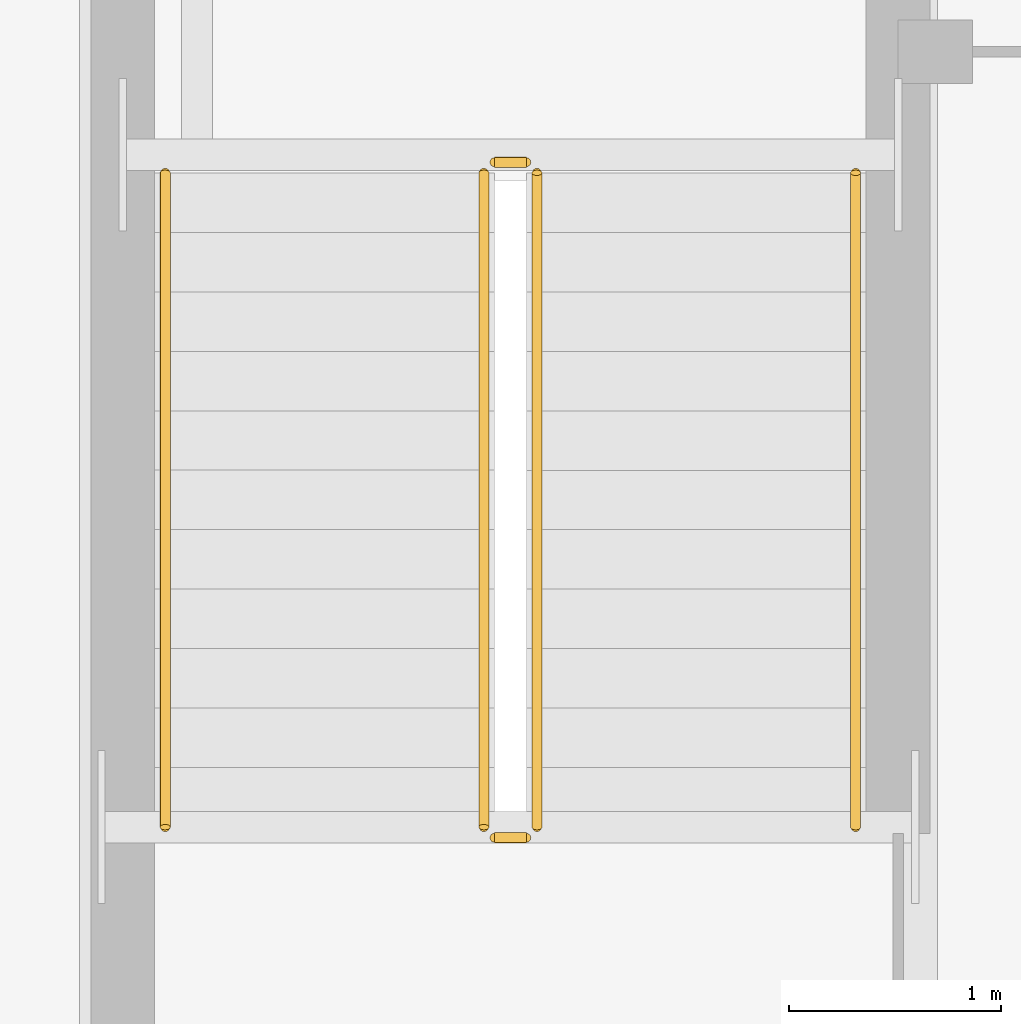
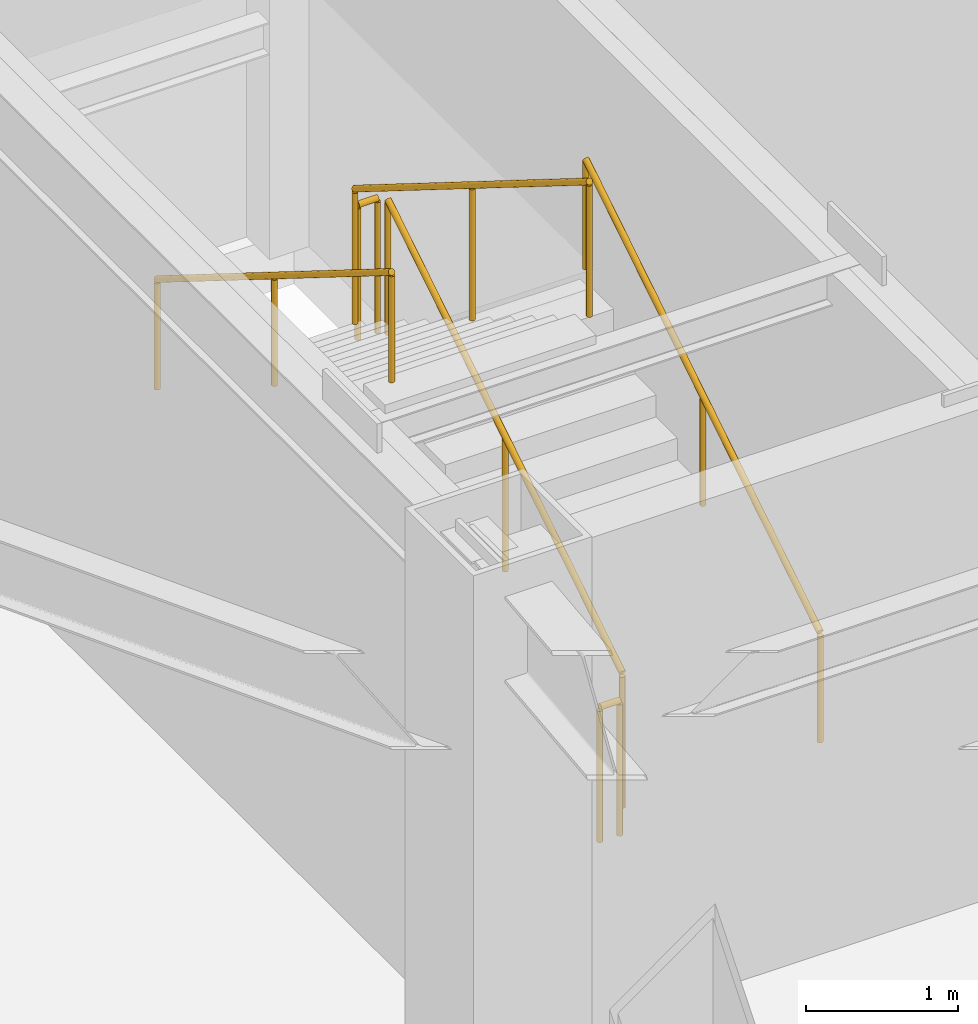
# One storey, part 8 of 11: 6 railings.
"""IFC4 building model written with IfcOpenShell, lengths in metres."""

from ifc_helpers import new_model, si_unit, direction, frame, origin, origin_2d, place, context, subcontext, project, spatial, circle, extrude, material, type_object, element, save


model = new_model("IFC4")

# Units and contexts
model_context = context("Model", 3, precision=1e-05, world=origin(), true_north=direction((0.0, 1.0)))
body_context = subcontext(model_context, "Body", "Model", "MODEL_VIEW")
ifc_project = project(units=[si_unit("LENGTHUNIT", "METRE"), si_unit("AREAUNIT", "SQUARE_METRE"), si_unit("VOLUMEUNIT", "CUBIC_METRE"), si_unit("PLANEANGLEUNIT", "RADIAN"), si_unit("MASSUNIT", "GRAM", prefix="KILO")], contexts=[model_context])

# Site, building, storey
site_placement = place(None, origin())
site = spatial("IfcSite", under=ifc_project, at=site_placement, CompositionType="ELEMENT")
building_placement = place(site_placement, origin())
building = spatial("IfcBuilding", under=site, at=building_placement, Name="Khamvora Tower", CompositionType="ELEMENT")
storey_placement = place(building_placement, frame((0.0, 0.0, 277.85009765625)))
storey = spatial("IfcBuildingStorey", under=building, at=storey_placement, Name="L71", CompositionType="ELEMENT", Elevation=277.85009765625)

# Railings
ifc_material_1 = material(Name="Brushed Stainless Steel 316", Category="steel")
railing_type_1 = type_object("IfcRailingType", Name="RAL-HDR-920", PredefinedType="HANDRAIL", material=ifc_material_1)
railing_1_placement = place(storey_placement, frame((32.449951171875, 20.75, 0.1748046875)))
element("IfcRailing", 1, at=railing_1_placement, inside=storey, type_object=railing_type_1, Name="L71 ST-01 stair handrail 1", PredefinedType="HANDRAIL", context=body_context, shape_type="SweptSolid", body=[
    extrude(circle(Radius=0.02392578125, at=origin_2d()), frame((0.0, 0.0, 0.8759765625), z_axis=(0.0, 0.847998304005, 0.529998940003), x_axis=(-1.0, 0.0, 0.0)), (0.0, 0.0, 1.0), 3.632080078125),
    extrude(circle(Radius=0.02099609375, at=origin_2d()), origin(), (0.0, 0.0, 1.0), 0.851806640625),
    extrude(circle(Radius=0.02099609375, at=origin_2d()), frame((0.0, 1.5400390625, 0.96240234375)), (0.0, 0.0, 1.0), 0.851806640625),
    extrude(circle(Radius=0.02099609375, at=origin_2d()), frame((0.0, 3.080078125, 1.925048828125)), (0.0, 0.0, 1.0), 0.851806640625),
])
railing_2_placement = place(storey_placement, frame((29.199951171875, 23.830078125, 2.27490234375)))
element("IfcRailing", 2, at=railing_2_placement, inside=storey, type_object=railing_type_1, Name="L71 ST-01 stair handrail 2", PredefinedType="HANDRAIL", context=body_context, shape_type="SweptSolid", body=[
    extrude(circle(Radius=0.02392578125, at=origin_2d()), frame((0.0, 0.0, 0.8759765625), z_axis=(0.0, -0.847998304005, 0.529998940003), x_axis=(1.0, 0.0, 0.0)), (0.0, 0.0, 1.0), 3.632080078125),
    extrude(circle(Radius=0.02099609375, at=origin_2d()), origin(), (0.0, 0.0, 1.0), 0.851806640625),
    extrude(circle(Radius=0.02099609375, at=origin_2d()), frame((0.0, -1.5400390625, 0.96240234375)), (0.0, 0.0, 1.0), 0.851806640625),
    extrude(circle(Radius=0.02099609375, at=origin_2d()), frame((0.0, -3.080078125, 1.925048828125)), (0.0, 0.0, 1.0), 0.851806640625),
])
ifc_material_2 = material(Name="Stainless Steel 316", Category="steel")
railing_type_2 = type_object("IfcRailingType", Name="RAL-STG-1100", PredefinedType="GUARDRAIL", material=ifc_material_2)
railing_3_placement = place(storey_placement, frame((30.949951171875, 20.75, 0.1748046875)))
element("IfcRailing", 3, at=railing_3_placement, inside=storey, type_object=railing_type_2, Name="L71 ST-01 stair guard 1", PredefinedType="GUARDRAIL", context=body_context, shape_type="SweptSolid", body=[
    extrude(circle(Radius=0.02392578125, at=origin_2d()), frame((0.0, 0.0, 1.076171875), z_axis=(0.0, 0.847998304005, 0.529998940003), x_axis=(-1.0, 0.0, 0.0)), (0.0, 0.0, 1.0), 3.632080078125),
    extrude(circle(Radius=0.02099609375, at=origin_2d()), origin(), (0.0, 0.0, 1.0), 1.052001953125),
    extrude(circle(Radius=0.02099609375, at=origin_2d()), frame((0.0, 1.5400390625, 0.96240234375)), (0.0, 0.0, 1.0), 1.052001953125),
    extrude(circle(Radius=0.02099609375, at=origin_2d()), frame((0.0, 3.080078125, 1.925048828125)), (0.0, 0.0, 1.0), 1.052001953125),
])
railing_4_placement = place(storey_placement, frame((30.89990234375, 23.8798828125, 2.099853515625)))
element("IfcRailing", 4, at=railing_4_placement, inside=storey, type_object=railing_type_2, Name="L71 ST-01 stair guard 2", PredefinedType="GUARDRAIL", context=body_context, shape_type="SweptSolid", body=[
    extrude(circle(Radius=0.02392578125, at=origin_2d()), frame((0.0, 0.0, 1.076171875), z_axis=(-1.0, 0.0, 0.0), x_axis=(0.0, -1.0, 0.0)), (0.0, 0.0, 1.0), 0.14990234375),
    extrude(circle(Radius=0.02099609375, at=origin_2d()), origin(), (0.0, 0.0, 1.0), 1.052001953125),
    extrude(circle(Radius=0.02099609375, at=origin_2d()), frame((-0.14990234375, 0.0, 0.0)), (0.0, 0.0, 1.0), 1.052001953125),
])
railing_5_placement = place(storey_placement, frame((30.699951171875, 23.830078125, 2.27490234375)))
element("IfcRailing", 5, at=railing_5_placement, inside=storey, type_object=railing_type_2, Name="L71 ST-01 stair guard 3", PredefinedType="GUARDRAIL", context=body_context, shape_type="SweptSolid", body=[
    extrude(circle(Radius=0.02392578125, at=origin_2d()), frame((0.0, 0.0, 1.076171875), z_axis=(0.0, -0.847998304005, 0.529998940003), x_axis=(1.0, 0.0, 0.0)), (0.0, 0.0, 1.0), 3.632080078125),
    extrude(circle(Radius=0.02099609375, at=origin_2d()), origin(), (0.0, 0.0, 1.0), 1.052001953125),
    extrude(circle(Radius=0.02099609375, at=origin_2d()), frame((0.0, -1.5400390625, 0.96240234375)), (0.0, 0.0, 1.0), 1.052001953125),
    extrude(circle(Radius=0.02099609375, at=origin_2d()), frame((0.0, -3.080078125, 1.925048828125)), (0.0, 0.0, 1.0), 1.052001953125),
])
railing_6_placement = place(storey_placement, frame((30.89990234375, 20.699951171875, 0.0)))
element("IfcRailing", 6, at=railing_6_placement, inside=storey, type_object=railing_type_2, Name="L71 ST-01 stair guard 4", PredefinedType="GUARDRAIL", context=body_context, shape_type="SweptSolid", body=[
    extrude(circle(Radius=0.02392578125, at=origin_2d()), frame((0.0, 0.0, 1.076171875), z_axis=(-1.0, 0.0, 0.0), x_axis=(0.0, -1.0, 0.0)), (0.0, 0.0, 1.0), 0.14990234375),
    extrude(circle(Radius=0.02099609375, at=origin_2d()), origin(), (0.0, 0.0, 1.0), 1.052001953125),
    extrude(circle(Radius=0.02099609375, at=origin_2d()), frame((-0.14990234375, 0.0, 0.0)), (0.0, 0.0, 1.0), 1.052001953125),
])

save(model, "model.ifc")
